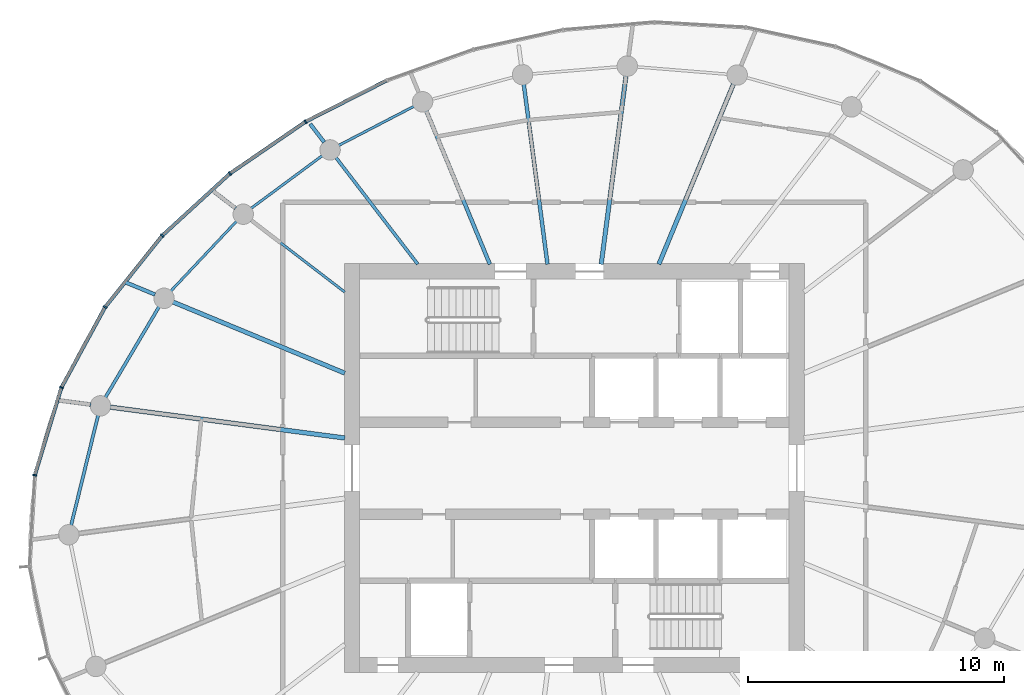
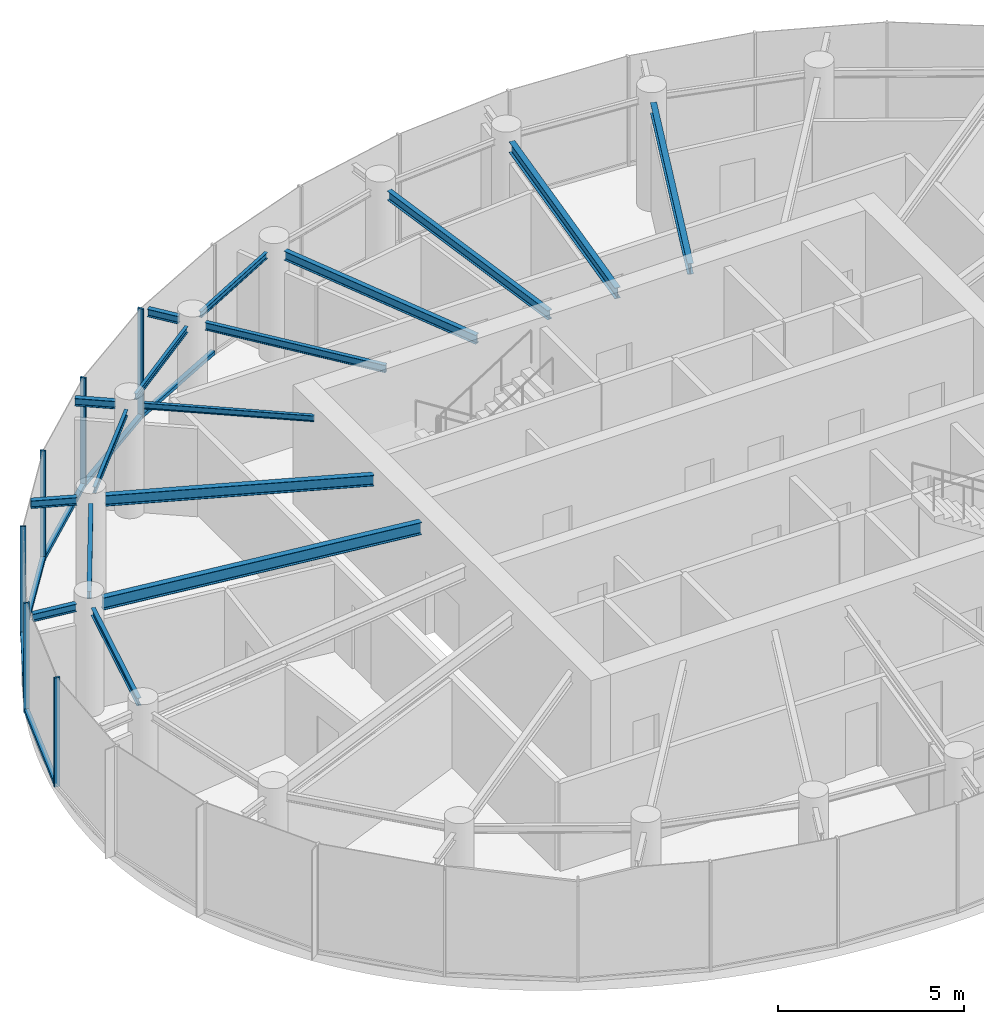
# One storey, part 4 of 13: 17 beams, 12 members, 2 elements without a shape of their own.
"""IFC4 building model written with IfcOpenShell, lengths in metres."""

from ifc_helpers import new_model, si_unit, direction, frame, origin, origin_2d, place, context, subcontext, project, spatial, rectangle, i_section, extrude, source, transform, mapped, material, layer, layer_set, material_profile, profile_set, type_object, element, aggregate, save


model = new_model("IFC4")

# Units and contexts
model_context = context("Model", 3, precision=1e-05, world=origin(), true_north=direction((0.0, 1.0)))
body_context = subcontext(model_context, "Body", "Model", "MODEL_VIEW")
ifc_project = project(units=[si_unit("LENGTHUNIT", "METRE"), si_unit("AREAUNIT", "SQUARE_METRE"), si_unit("VOLUMEUNIT", "CUBIC_METRE"), si_unit("PLANEANGLEUNIT", "RADIAN"), si_unit("MASSUNIT", "GRAM", prefix="KILO")], contexts=[model_context])

# Site, building, storey
site_placement = place(None, origin())
site = spatial("IfcSite", under=ifc_project, at=site_placement, CompositionType="ELEMENT")
building_placement = place(site_placement, origin())
building = spatial("IfcBuilding", under=site, at=building_placement, Name="Spindrift Exchange Tower", CompositionType="ELEMENT")
storey_placement = place(building_placement, frame((0.0, 0.0, 246.199951171875)))
storey = spatial("IfcBuildingStorey", under=building, at=storey_placement, Name="L60", CompositionType="ELEMENT", Elevation=246.199951171875)

# Beams
ifc_material_1 = material(Name="Steel Grade 300", Category="steel")
ifc_material_profile_1 = material_profile(ifc_material_1, i_section(OverallWidth=0.1708984375, OverallDepth=0.35205078125, WebThickness=0.0068359375, FlangeThickness=0.009765625, FilletRadius=0.013916015625, at=origin_2d()), Name="360UB44.7")
ifc_profile_set_1 = profile_set([ifc_material_profile_1], Name="Steel Grade 300")
beam_type_1 = type_object("IfcBeamType", Name="Floor Beam 360UB44.7 Steel Grade 300", PredefinedType="BEAM", material=ifc_profile_set_1)
shared_shape_1 = source(origin(), body_context, "Body", "SweptSolid", [
    extrude(i_section(OverallWidth=0.1708984375, OverallDepth=0.35205078125, WebThickness=0.0068359375, FlangeThickness=0.009765625, FilletRadius=0.013916015625, at=origin_2d()), origin(), (0.0, 0.0, 1.0), 7.630859375),
])
beam_1_placement = place(storey_placement, frame((55.30615234375, 55.9814453125, 3.404052734375), z_axis=(0.382676740702, 0.92388230426, 0.0), x_axis=(-0.92388230426, 0.382676740702, 0.0)))
element("IfcBeam", 1, at=beam_1_placement, inside=storey, type_object=beam_type_1, Name="L60 radial beam R05A", PredefinedType="BEAM", context=body_context, shape_type="MappedRepresentation", body=[
    mapped(shared_shape_1, transform((0.0, 0.0, 0.0), scale=1.0)),
])
shared_shape_2 = source(origin(), body_context, "Body", "SweptSolid", [
    extrude(i_section(OverallWidth=0.1708984375, OverallDepth=0.35205078125, WebThickness=0.0068359375, FlangeThickness=0.009765625, FilletRadius=0.013916015625, at=origin_2d()), origin(), (0.0, 0.0, 1.0), 7.43798828125),
])
beam_2_placement = place(storey_placement, frame((53.050537109375, 55.980224609375, 3.404052734375), z_axis=(0.130540269579, 0.991443007953, 0.0), x_axis=(-0.991443007953, 0.130540269579, 0.0)))
element("IfcBeam", 2, at=beam_2_placement, inside=storey, type_object=beam_type_1, Name="L60 radial beam R06A", PredefinedType="BEAM", context=body_context, shape_type="MappedRepresentation", body=[
    mapped(shared_shape_2, transform((0.0, 0.0, 0.0), scale=1.0)),
])
ifc_material_profile_2 = material_profile(ifc_material_1, i_section(OverallWidth=0.14892578125, OverallDepth=0.298095703125, WebThickness=0.005615234375, FlangeThickness=0.008056640625, FilletRadius=0.012939453125, at=origin_2d()), Name="310UB32.0")
ifc_profile_set_2 = profile_set([ifc_material_profile_2], Name="Steel Grade 300")
beam_type_2 = type_object("IfcBeamType", Name="Floor Beam 310UB32.0 Steel Grade 300", PredefinedType="BEAM", material=ifc_profile_set_2)
shared_shape_3 = source(origin(), body_context, "Body", "SweptSolid", [
    extrude(i_section(OverallWidth=0.14892578125, OverallDepth=0.298095703125, WebThickness=0.005615234375, FlangeThickness=0.008056640625, FilletRadius=0.012939453125, at=origin_2d()), origin(), (0.0, 0.0, 1.0), 7.099853515625),
])
beam_3_placement = place(storey_placement, frame((50.949462890625, 55.980224609375, 3.43115234375), z_axis=(-0.130532789835, 0.991443992759, 0.0), x_axis=(-0.991443992759, -0.130532789835, 0.0)))
element("IfcBeam", 3, at=beam_3_placement, inside=storey, type_object=beam_type_2, Name="L60 radial beam R07A", PredefinedType="BEAM", context=body_context, shape_type="MappedRepresentation", body=[
    mapped(shared_shape_3, transform((0.0, 0.0, 0.0), scale=1.0)),
])
shared_shape_4 = source(origin(), body_context, "Body", "SweptSolid", [
    extrude(i_section(OverallWidth=0.14892578125, OverallDepth=0.298095703125, WebThickness=0.005615234375, FlangeThickness=0.008056640625, FilletRadius=0.012939453125, at=origin_2d()), origin(), (0.0, 0.0, 1.0), 6.495849609375),
])
beam_4_placement = place(storey_placement, frame((48.69384765625, 55.9814453125, 3.43115234375), z_axis=(-0.382677087308, 0.923882160695, 0.0), x_axis=(-0.923882160695, -0.382677087308, 0.0)))
element("IfcBeam", 4, at=beam_4_placement, inside=storey, type_object=beam_type_2, Name="L60 radial beam R08A", PredefinedType="BEAM", context=body_context, shape_type="MappedRepresentation", body=[
    mapped(shared_shape_4, transform((0.0, 0.0, 0.0), scale=1.0)),
])
ifc_material_profile_3 = material_profile(ifc_material_1, i_section(OverallWidth=0.1240234375, OverallDepth=0.248046875, WebThickness=0.0048828125, FlangeThickness=0.008056640625, FilletRadius=0.011962890625, at=origin_2d()), Name="250UB25.7")
ifc_profile_set_3 = profile_set([ifc_material_profile_3], Name="Steel Grade 300")
beam_type_3 = type_object("IfcBeamType", Name="Floor Beam 250UB25.7 Steel Grade 300", PredefinedType="BEAM", material=ifc_profile_set_3)
shared_shape_5 = source(origin(), body_context, "Body", "SweptSolid", [
    extrude(i_section(OverallWidth=0.1240234375, OverallDepth=0.248046875, WebThickness=0.0048828125, FlangeThickness=0.008056640625, FilletRadius=0.011962890625, at=origin_2d()), origin(), (0.0, 0.0, 1.0), 5.25341796875),
])
beam_5_placement = place(storey_placement, frame((45.87353515625, 55.984130859375, 3.4560546875), z_axis=(-0.608760287872, 0.793354215915, 0.0), x_axis=(-0.793354215915, -0.608760287872, 0.0)))
element("IfcBeam", 5, at=beam_5_placement, inside=storey, type_object=beam_type_3, Name="L60 radial beam R09A", PredefinedType="BEAM", context=body_context, shape_type="MappedRepresentation", body=[
    mapped(shared_shape_5, transform((0.0, 0.0, 0.0), scale=1.0)),
])
ifc_material_profile_4 = material_profile(ifc_material_1, i_section(OverallWidth=0.09912109375, OverallDepth=0.197998046875, WebThickness=0.00439453125, FlangeThickness=0.007080078125, FilletRadius=0.010986328125, at=origin_2d()), Name="200UB18.2")
ifc_profile_set_4 = profile_set([ifc_material_profile_4], Name="Steel Grade 300")
beam_type_4 = type_object("IfcBeamType", Name="Floor Beam 200UB18.2 Steel Grade 300", PredefinedType="BEAM", material=ifc_profile_set_4)
shared_shape_6 = source(origin(), body_context, "Body", "SweptSolid", [
    extrude(i_section(OverallWidth=0.09912109375, OverallDepth=0.197998046875, WebThickness=0.00439453125, FlangeThickness=0.007080078125, FilletRadius=0.010986328125, at=origin_2d()), origin(), (0.0, 0.0, 1.0), 4.622802734375),
])
beam_6_placement = place(storey_placement, frame((43.015869140625, 54.893798828125, 3.48095703125), z_axis=(-0.793347882225, 0.608768542033, 0.0), x_axis=(-0.608768542033, -0.793347882225, 0.0)))
element("IfcBeam", 6, at=beam_6_placement, inside=storey, type_object=beam_type_4, Name="L60 radial beam R10A", PredefinedType="BEAM", context=body_context, shape_type="MappedRepresentation", body=[
    mapped(shared_shape_6, transform((0.0, 0.0, 0.0), scale=1.0)),
])
shared_shape_7 = source(origin(), body_context, "Body", "SweptSolid", [
    extrude(i_section(OverallWidth=0.1708984375, OverallDepth=0.35205078125, WebThickness=0.0068359375, FlangeThickness=0.009765625, FilletRadius=0.013916015625, at=origin_2d()), origin(), (0.0, 0.0, 1.0), 7.272705078125),
])
beam_7_placement = place(storey_placement, frame((43.0185546875, 51.72021484375, 3.404052734375), z_axis=(-0.923874446092, 0.382695711836, 0.0), x_axis=(-0.382695711836, -0.923874446092, 0.0)))
element("IfcBeam", 7, at=beam_7_placement, inside=storey, type_object=beam_type_1, Name="L60 radial beam R11A", PredefinedType="BEAM", context=body_context, shape_type="MappedRepresentation", body=[
    mapped(shared_shape_7, transform((0.0, 0.0, 0.0), scale=1.0)),
])
ifc_material_profile_5 = material_profile(ifc_material_1, i_section(OverallWidth=0.177978515625, OverallDepth=0.403076171875, WebThickness=0.007568359375, FlangeThickness=0.010986328125, FilletRadius=0.013916015625, at=origin_2d()), Name="410UB53.7")
ifc_profile_set_5 = profile_set([ifc_material_profile_5], Name="Steel Grade 300")
beam_type_5 = type_object("IfcBeamType", Name="Floor Beam 410UB53.7 Steel Grade 300", PredefinedType="BEAM", material=ifc_profile_set_5)
shared_shape_8 = source(origin(), body_context, "Body", "SweptSolid", [
    extrude(i_section(OverallWidth=0.177978515625, OverallDepth=0.403076171875, WebThickness=0.007568359375, FlangeThickness=0.010986328125, FilletRadius=0.013916015625, at=origin_2d()), origin(), (0.0, 0.0, 1.0), 9.261962890625),
])
beam_8_placement = place(storey_placement, frame((43.019775390625, 49.182373046875, 3.378662109375), z_axis=(-0.991447744872, 0.130504288008, 0.0), x_axis=(-0.130504288008, -0.991447744872, 0.0)))
element("IfcBeam", 8, at=beam_8_placement, inside=storey, type_object=beam_type_5, Name="L60 radial beam R12A", PredefinedType="BEAM", context=body_context, shape_type="MappedRepresentation", body=[
    mapped(shared_shape_8, transform((0.0, 0.0, 0.0), scale=1.0)),
])
ifc_material_profile_6 = material_profile(ifc_material_1, i_section(OverallWidth=0.09912109375, OverallDepth=0.197998046875, WebThickness=0.00439453125, FlangeThickness=0.007080078125, FilletRadius=0.010986328125, at=origin_2d()), Name="200UB18.2")
ifc_profile_set_6 = profile_set([ifc_material_profile_6], Name="Steel Grade 300")
beam_type_6 = type_object("IfcBeamType", Name="Edge Beam 200UB18.2 Steel Grade 300", PredefinedType="SPANDREL", material=ifc_profile_set_6)
shared_shape_9 = source(origin(), body_context, "Body", "SweptSolid", [
    extrude(i_section(OverallWidth=0.09912109375, OverallDepth=0.197998046875, WebThickness=0.00439453125, FlangeThickness=0.007080078125, FilletRadius=0.010986328125, at=origin_2d()), origin(), (0.0, 0.0, 1.0), 3.31787109375),
])
beam_9_placement = place(storey_placement, frame((45.7255859375, 62.15869140625, 3.48095703125), z_axis=(-0.887327612278, -0.46113957593, 0.0), x_axis=(0.46113957593, -0.887327612278, 0.0)))
element("IfcBeam", 9, at=beam_9_placement, inside=storey, type_object=beam_type_6, Name="L60 edge beam E08", PredefinedType="SPANDREL", context=body_context, shape_type="MappedRepresentation", body=[
    mapped(shared_shape_9, transform((0.0, 0.0, 0.0), scale=1.0)),
])
shared_shape_10 = source(origin(), body_context, "Body", "SweptSolid", [
    extrude(i_section(OverallWidth=0.09912109375, OverallDepth=0.197998046875, WebThickness=0.00439453125, FlangeThickness=0.007080078125, FilletRadius=0.010986328125, at=origin_2d()), origin(), (0.0, 0.0, 1.0), 3.466552734375),
])
beam_10_placement = place(storey_placement, frame((42.138916015625, 60.227294921875, 3.48095703125), z_axis=(-0.803854022168, -0.594826622676, 0.0), x_axis=(0.594826622676, -0.803854022168, 0.0)))
element("IfcBeam", 10, at=beam_10_placement, inside=storey, type_object=beam_type_6, Name="L60 edge beam E09", PredefinedType="SPANDREL", context=body_context, shape_type="MappedRepresentation", body=[
    mapped(shared_shape_10, transform((0.0, 0.0, 0.0), scale=1.0)),
])
shared_shape_11 = source(origin(), body_context, "Body", "SweptSolid", [
    extrude(i_section(OverallWidth=0.09912109375, OverallDepth=0.197998046875, WebThickness=0.00439453125, FlangeThickness=0.007080078125, FilletRadius=0.010986328125, at=origin_2d()), origin(), (0.0, 0.0, 1.0), 3.759765625),
])
beam_11_placement = place(storey_placement, frame((38.786376953125, 57.66259765625, 3.48095703125), z_axis=(-0.685520646854, -0.72805318675, 0.0), x_axis=(0.72805318675, -0.685520646854, 0.0)))
element("IfcBeam", 11, at=beam_11_placement, inside=storey, type_object=beam_type_6, Name="L60 edge beam E10", PredefinedType="SPANDREL", context=body_context, shape_type="MappedRepresentation", body=[
    mapped(shared_shape_11, transform((0.0, 0.0, 0.0), scale=1.0)),
])
ifc_material_profile_7 = material_profile(ifc_material_1, i_section(OverallWidth=0.1240234375, OverallDepth=0.248046875, WebThickness=0.0048828125, FlangeThickness=0.008056640625, FilletRadius=0.011962890625, at=origin_2d()), Name="250UB25.7")
ifc_profile_set_7 = profile_set([ifc_material_profile_7], Name="Steel Grade 300")
beam_type_7 = type_object("IfcBeamType", Name="Edge Beam 250UB25.7 Steel Grade 300", PredefinedType="SPANDREL", material=ifc_profile_set_7)
shared_shape_12 = source(origin(), body_context, "Body", "SweptSolid", [
    extrude(i_section(OverallWidth=0.1240234375, OverallDepth=0.248046875, WebThickness=0.0048828125, FlangeThickness=0.008056640625, FilletRadius=0.011962890625, at=origin_2d()), origin(), (0.0, 0.0, 1.0), 4.128662109375),
])
beam_12_placement = place(storey_placement, frame((35.755126953125, 54.321533203125, 3.4560546875), z_axis=(-0.509067946458, -0.860726336235, 0.0), x_axis=(0.860726336235, -0.509067946458, 0.0)))
element("IfcBeam", 12, at=beam_12_placement, inside=storey, type_object=beam_type_7, Name="L60 edge beam E11", PredefinedType="SPANDREL", context=body_context, shape_type="MappedRepresentation", body=[
    mapped(shared_shape_12, transform((0.0, 0.0, 0.0), scale=1.0)),
])
shared_shape_13 = source(origin(), body_context, "Body", "SweptSolid", [
    extrude(i_section(OverallWidth=0.1240234375, OverallDepth=0.248046875, WebThickness=0.0048828125, FlangeThickness=0.008056640625, FilletRadius=0.011962890625, at=origin_2d()), origin(), (0.0, 0.0, 1.0), 4.43408203125),
])
beam_13_placement = place(storey_placement, frame((33.369384765625, 50.07177734375, 3.4560546875), z_axis=(-0.238193109804, -0.971217814109, 0.0), x_axis=(0.971217814109, -0.238193109804, 0.0)))
element("IfcBeam", 13, at=beam_13_placement, inside=storey, type_object=beam_type_7, Name="L60 edge beam E12", PredefinedType="SPANDREL", context=body_context, shape_type="MappedRepresentation", body=[
    mapped(shared_shape_13, transform((0.0, 0.0, 0.0), scale=1.0)),
])
ifc_material_profile_8 = material_profile(ifc_material_1, i_section(OverallWidth=0.14599609375, OverallDepth=0.251953125, WebThickness=0.006103515625, FlangeThickness=0.008544921875, FilletRadius=0.011962890625, at=origin_2d()), Name="250UB31.4")
ifc_profile_set_8 = profile_set([ifc_material_profile_8], Name="Steel Grade 300")
beam_type_8 = type_object("IfcBeamType", Name="Cantilever Beam 250UB31.4 Steel Grade 300", PredefinedType="BEAM", material=ifc_profile_set_8)
shared_shape_14 = source(origin(), body_context, "Body", "SweptSolid", [
    extrude(i_section(OverallWidth=0.14599609375, OverallDepth=0.251953125, WebThickness=0.006103515625, FlangeThickness=0.008544921875, FilletRadius=0.011962890625, at=origin_2d()), origin(), (0.0, 0.0, 1.0), 0.902587890625),
])
beam_14_placement = place(storey_placement, frame((42.212890625, 60.754638671875, 3.4541015625), z_axis=(-0.608664363178, 0.793427812089, 0.0), x_axis=(-0.793427812089, -0.608664363178, 0.0)))
element("IfcBeam", 14, at=beam_14_placement, inside=storey, type_object=beam_type_8, Name="L60 cantilever beam R09T", PredefinedType="BEAM", context=body_context, shape_type="MappedRepresentation", body=[
    mapped(shared_shape_14, transform((0.0, 0.0, 0.0), scale=1.0)),
])
shared_shape_15 = source(origin(), body_context, "Body", "SweptSolid", [
    extrude(i_section(OverallWidth=0.14599609375, OverallDepth=0.251953125, WebThickness=0.006103515625, FlangeThickness=0.008544921875, FilletRadius=0.011962890625, at=origin_2d()), origin(), (0.0, 0.0, 1.0), 1.097900390625),
])
beam_15_placement = place(storey_placement, frame((38.74560546875, 58.170654296875, 3.4541015625), z_axis=(-0.793441689108, 0.608646273287, 0.0), x_axis=(-0.608646273287, -0.793441689108, 0.0)))
element("IfcBeam", 15, at=beam_15_placement, inside=storey, type_object=beam_type_8, Name="L60 cantilever beam R10T", PredefinedType="BEAM", context=body_context, shape_type="MappedRepresentation", body=[
    mapped(shared_shape_15, transform((0.0, 0.0, 0.0), scale=1.0)),
])
shared_shape_16 = source(origin(), body_context, "Body", "SweptSolid", [
    extrude(i_section(OverallWidth=0.14599609375, OverallDepth=0.251953125, WebThickness=0.006103515625, FlangeThickness=0.008544921875, FilletRadius=0.011962890625, at=origin_2d()), origin(), (0.0, 0.0, 1.0), 1.250732421875),
])
beam_16_placement = place(storey_placement, frame((35.597412109375, 54.794189453125, 3.4541015625), z_axis=(-0.923912159231, 0.382604654995, 0.0), x_axis=(-0.382604654995, -0.923912159231, 0.0)))
element("IfcBeam", 16, at=beam_16_placement, inside=storey, type_object=beam_type_8, Name="L60 cantilever beam R11T", PredefinedType="BEAM", context=body_context, shape_type="MappedRepresentation", body=[
    mapped(shared_shape_16, transform((0.0, 0.0, 0.0), scale=1.0)),
])
shared_shape_17 = source(origin(), body_context, "Body", "SweptSolid", [
    extrude(i_section(OverallWidth=0.14599609375, OverallDepth=0.251953125, WebThickness=0.006103515625, FlangeThickness=0.008544921875, FilletRadius=0.011962890625, at=origin_2d()), origin(), (0.0, 0.0, 1.0), 1.268798828125),
])
beam_17_placement = place(storey_placement, frame((33.083251953125, 50.490478515625, 3.4541015625), z_axis=(-0.991454950409, 0.130449535489, 0.0), x_axis=(-0.130449535489, -0.991454950409, 0.0)))
element("IfcBeam", 17, at=beam_17_placement, inside=storey, type_object=beam_type_8, Name="L60 cantilever beam R12T", PredefinedType="BEAM", context=body_context, shape_type="MappedRepresentation", body=[
    mapped(shared_shape_17, transform((0.0, 0.0, 0.0), scale=1.0)),
])

# Curtain wall, members
ifc_material_2 = material(Name="Fritted laminated glass with bronze frame", Category="glass")
ifc_layer = layer(ifc_material_2, 0.159912109375)
ifc_layer_set = layer_set([ifc_layer], Name="ZONE 5 BRONZE FRITTED WALL")
curtain_wall_type = type_object("IfcCurtainWallType", Name="ZONE 5 BRONZE FRITTED WALL", PredefinedType="NOTDEFINED", material=ifc_layer_set)
curtain_wall_1_placement = place(storey_placement, origin())
curtain_wall_1 = element("IfcCurtainWall", 18, at=curtain_wall_1_placement, inside=storey, type_object=curtain_wall_type, Name="L60 Zone 5 Bronze Fritted Wall run 2", PredefinedType="NOTDEFINED")
ifc_material_3 = material(Name="Bronze anodised aluminium", Category="aluminium")
ifc_material_profile_9 = material_profile(ifc_material_3, rectangle(XDim=0.06005859375, YDim=0.159912109375, at=origin_2d()), Name="ZONE 5 BRONZE FRITTED WALL MULLION 60X160")
ifc_profile_set_9 = profile_set([ifc_material_profile_9], Name="Bronze anodised aluminium")
member_type_1 = type_object("IfcMemberType", Name="ZONE 5 BRONZE FRITTED WALL MULLION 60X160", PredefinedType="MULLION", material=ifc_profile_set_9)
shared_shape_18 = source(origin(), body_context, "Body", "SweptSolid", [
    extrude(rectangle(XDim=0.06005859375, YDim=0.159912109375, at=origin_2d()), origin(), (0.0, 0.0, 1.0), 3.580078125),
])
member_1_placement = place(storey_placement, frame((41.480712890625, 61.556396484375, 0.0), z_axis=(0.0, 0.0, 1.0), x_axis=(-0.859912374679, -0.51044167921, 0.0)))
member_1 = element("IfcMember", 19, at=member_1_placement, type_object=member_type_1, Name="L60 mullion CW-5.11", PredefinedType="MULLION", context=body_context, shape_type="MappedRepresentation", body=[
    mapped(shared_shape_18, transform((0.0, 0.0, 0.0), scale=1.0)),
])
member_2_placement = place(storey_placement, frame((38.52392578125, 59.52734375, 0.0), z_axis=(0.0, 0.0, 1.0), x_axis=(-0.78279179433, -0.622283702767, 0.0)))
member_2 = element("IfcMember", 20, at=member_2_placement, type_object=member_type_1, Name="L60 mullion CW-5.12", PredefinedType="MULLION", context=body_context, shape_type="MappedRepresentation", body=[
    mapped(shared_shape_18, transform((0.0, 0.0, 0.0), scale=1.0)),
])

curtain_wall_2_placement = place(storey_placement, origin())
curtain_wall_2 = element("IfcCurtainWall", 21, at=curtain_wall_2_placement, inside=storey, type_object=curtain_wall_type, Name="L60 Zone 5 Bronze Fritted Wall run 3", PredefinedType="NOTDEFINED")
member_3_placement = place(storey_placement, frame((35.880615234375, 57.104736328125, 0.0), z_axis=(0.0, 0.0, 1.0), x_axis=(-0.682674144749, -0.730722937981, 0.0)))
member_3 = element("IfcMember", 22, at=member_3_placement, type_object=member_type_1, Name="L60 mullion CW-5.13", PredefinedType="MULLION", context=body_context, shape_type="MappedRepresentation", body=[
    mapped(shared_shape_18, transform((0.0, 0.0, 0.0), scale=1.0)),
])
member_4_placement = place(storey_placement, frame((33.6435546875, 54.3037109375, 0.0), z_axis=(0.0, 0.0, 1.0), x_axis=(-0.552995217285, -0.833184427159, 0.0)))
member_4 = element("IfcMember", 23, at=member_4_placement, type_object=member_type_1, Name="L60 mullion CW-5.14", PredefinedType="MULLION", context=body_context, shape_type="MappedRepresentation", body=[
    mapped(shared_shape_18, transform((0.0, 0.0, 0.0), scale=1.0)),
])
member_5_placement = place(storey_placement, frame((31.931884765625, 51.155517578125, 0.0), z_axis=(0.0, 0.0, 1.0), x_axis=(-0.385843996791, -0.922564041214, 0.0)))
member_5 = element("IfcMember", 24, at=member_5_placement, type_object=member_type_1, Name="L60 mullion CW-5.15", PredefinedType="MULLION", context=body_context, shape_type="MappedRepresentation", body=[
    mapped(shared_shape_18, transform((0.0, 0.0, 0.0), scale=1.0)),
])
member_6_placement = place(storey_placement, frame((30.893310546875, 47.727783203125, 0.0), z_axis=(0.0, 0.0, 1.0), x_axis=(-0.175517886962, -0.984476242149, 0.0)))
member_6 = element("IfcMember", 25, at=member_6_placement, type_object=member_type_1, Name="L60 mullion CW-5.16", PredefinedType="MULLION", context=body_context, shape_type="MappedRepresentation", body=[
    mapped(shared_shape_18, transform((0.0, 0.0, 0.0), scale=1.0)),
])

# Member
ifc_material_profile_10 = material_profile(ifc_material_3, rectangle(XDim=0.139892578125, YDim=0.1201171875, at=origin_2d()), Name="ZONE 5 BRONZE FRITTED WALL TRANSOM 140X120")
ifc_profile_set_10 = profile_set([ifc_material_profile_10], Name="Bronze anodised aluminium")
member_type_2 = type_object("IfcMemberType", Name="ZONE 5 BRONZE FRITTED WALL TRANSOM 140X120", PredefinedType="USERDEFINED", material=ifc_profile_set_10)
shared_shape_19 = source(origin(), body_context, "Body", "SweptSolid", [
    extrude(rectangle(XDim=0.139892578125, YDim=0.1201171875, at=origin_2d()), origin(), (0.0, 0.0, 1.0), 3.525390625),
])
member_7_placement = place(storey_placement, frame((38.501708984375, 59.507080078125, 0.06005859375), z_axis=(-0.737185760042, -0.675690132525, 0.0), x_axis=(0.675690132525, -0.737185760042, 0.0)))
member_7 = element("IfcMember", 26, at=member_7_placement, type_object=member_type_2, Name="L60 transom CW-5.12", ObjectType="TRANSOM", PredefinedType="USERDEFINED", context=body_context, shape_type="MappedRepresentation", body=[
    mapped(shared_shape_19, transform((0.0, 0.0, 0.0), scale=1.0)),
])

shared_shape_20 = source(origin(), body_context, "Body", "SweptSolid", [
    extrude(rectangle(XDim=0.139892578125, YDim=0.1201171875, at=origin_2d()), origin(), (0.0, 0.0, 1.0), 3.524658203125),
])
member_8_placement = place(storey_placement, frame((35.862060546875, 57.081298828125, 0.06005859375), z_axis=(-0.624069780906, -0.781368612475, 0.0), x_axis=(0.781368612475, -0.624069780906, 0.0)))
member_8 = element("IfcMember", 27, at=member_8_placement, type_object=member_type_2, Name="L60 transom CW-5.13", ObjectType="TRANSOM", PredefinedType="USERDEFINED", context=body_context, shape_type="MappedRepresentation", body=[
    mapped(shared_shape_20, transform((0.0, 0.0, 0.0), scale=1.0)),
])

shared_shape_21 = source(origin(), body_context, "Body", "SweptSolid", [
    extrude(rectangle(XDim=0.139892578125, YDim=0.1201171875, at=origin_2d()), origin(), (0.0, 0.0, 1.0), 3.521484375),
])
member_9_placement = place(storey_placement, frame((31.92333984375, 51.126708984375, 0.06005859375), z_axis=(-0.290068967873, -0.95700574391, 0.0), x_axis=(0.95700574391, -0.290068967873, 0.0)))
member_9 = element("IfcMember", 28, at=member_9_placement, type_object=member_type_2, Name="L60 transom CW-5.15", ObjectType="TRANSOM", PredefinedType="USERDEFINED", context=body_context, shape_type="MappedRepresentation", body=[
    mapped(shared_shape_21, transform((0.0, 0.0, 0.0), scale=1.0)),
])

shared_shape_22 = source(origin(), body_context, "Body", "SweptSolid", [
    extrude(rectangle(XDim=0.139892578125, YDim=0.1201171875, at=origin_2d()), origin(), (0.0, 0.0, 1.0), 3.526123046875),
])
member_10_placement = place(storey_placement, frame((44.6513671875, 63.1669921875, 0.06005859375), z_axis=(-0.891570436863, -0.45288205541, 0.0), x_axis=(0.45288205541, -0.891570436863, 0.0)))
member_10 = element("IfcMember", 29, at=member_10_placement, type_object=member_type_2, Name="L60 transom CW-5.10", ObjectType="TRANSOM", PredefinedType="USERDEFINED", context=body_context, shape_type="MappedRepresentation", body=[
    mapped(shared_shape_22, transform((0.0, 0.0, 0.0), scale=1.0)),
])

member_11_placement = place(storey_placement, frame((41.4560546875, 61.539306640625, 0.06005859375), z_axis=(-0.824572887511, -0.565755736322, 0.0), x_axis=(0.565755736322, -0.824572887511, 0.0)))
member_11 = element("IfcMember", 30, at=member_11_placement, type_object=member_type_2, Name="L60 transom CW-5.11", ObjectType="TRANSOM", PredefinedType="USERDEFINED", context=body_context, shape_type="MappedRepresentation", body=[
    mapped(shared_shape_22, transform((0.0, 0.0, 0.0), scale=1.0)),
])

aggregate(curtain_wall_1, [member_10, member_1, member_11, member_2, member_7])

shared_shape_23 = source(origin(), body_context, "Body", "SweptSolid", [
    extrude(rectangle(XDim=0.139892578125, YDim=0.1201171875, at=origin_2d()), origin(), (0.0, 0.0, 1.0), 3.5234375),
])
member_12_placement = place(storey_placement, frame((33.629150390625, 54.27734375, 0.06005859375), z_axis=(-0.47763309263, -0.878559405405, 0.0), x_axis=(0.878559405405, -0.47763309263, 0.0)))
member_12 = element("IfcMember", 31, at=member_12_placement, type_object=member_type_2, Name="L60 transom CW-5.14", ObjectType="TRANSOM", PredefinedType="USERDEFINED", context=body_context, shape_type="MappedRepresentation", body=[
    mapped(shared_shape_23, transform((0.0, 0.0, 0.0), scale=1.0)),
])

aggregate(curtain_wall_2, [member_3, member_8, member_4, member_12, member_5, member_9, member_6])

save(model, "model.ifc")
